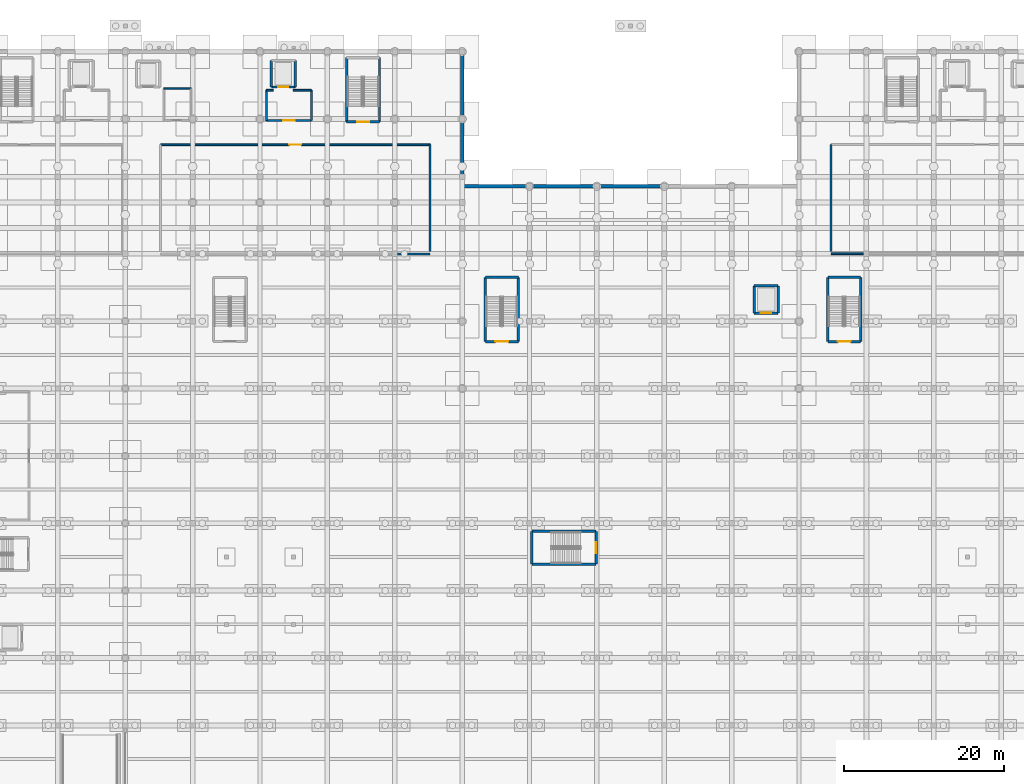
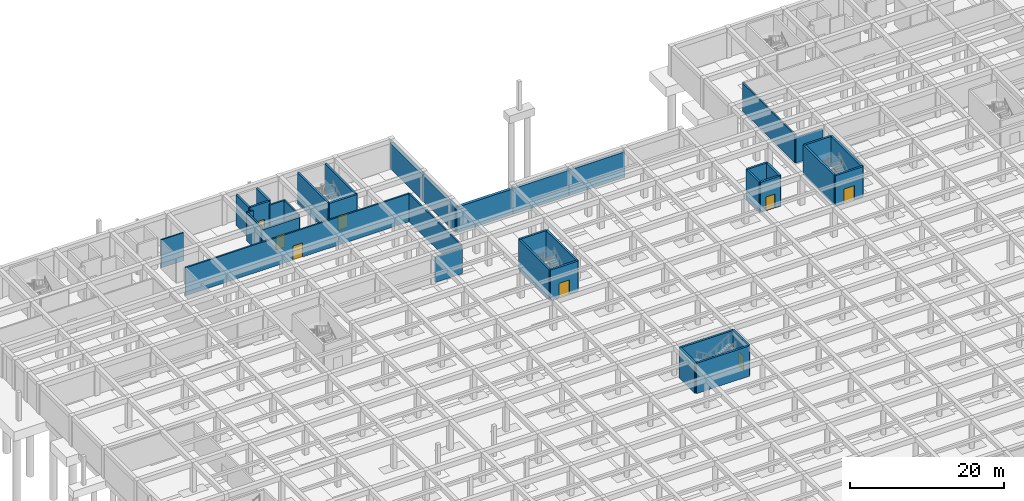
# One storey, part 27 of 51: 38 walls, 8 doors, 8 openings.
"""IFC4 building model written with IfcOpenShell, lengths in metres."""

from ifc_helpers import new_model, si_unit, direction, frame, frame_2d, origin, place, context, subcontext, project, spatial, rectangle, extrude, material, layer, layer_set, type_object, element, fill, save


model = new_model("IFC4")

# Units and contexts
model_context = context("Model", 3, precision=1e-05, world=origin(), true_north=direction((0.0, 1.0)))
body_context = subcontext(model_context, "Body", "Model", "MODEL_VIEW")
ifc_project = project(units=[si_unit("LENGTHUNIT", "METRE"), si_unit("AREAUNIT", "SQUARE_METRE"), si_unit("VOLUMEUNIT", "CUBIC_METRE"), si_unit("PLANEANGLEUNIT", "RADIAN"), si_unit("MASSUNIT", "GRAM", prefix="KILO")], contexts=[model_context])

# Site, building, storey
site_placement = place(None, origin())
site = spatial("IfcSite", under=ifc_project, at=site_placement, CompositionType="ELEMENT")
building_placement = place(site_placement, origin())
building = spatial("IfcBuilding", under=site, at=building_placement, Name="Varncliffe General Hospital", CompositionType="ELEMENT")
storey_placement = place(building_placement, frame((0.0, 0.0, -4.800048828125)))
storey = spatial("IfcBuildingStorey", under=building, at=storey_placement, Name="B1", CompositionType="ELEMENT", Elevation=-4.800048828125)

# Walls
ifc_material_1 = material(Name="Concrete C40/50 (CSA A23.1 40 MPa)", Category="concrete")
ifc_layer_1 = layer(ifc_material_1, 0.419921875)
ifc_layer_set_1 = layer_set([ifc_layer_1], Name="Concrete C40/50 (CSA A23.1 40 MPa)")
wall_type_1 = type_object("IfcWallType", Name="Exterior Insulated Stucco Wall EW28 (420mm)", PredefinedType="SOLIDWALL", material=ifc_layer_set_1)
wall_1_placement = place(storey_placement, frame((67.199951171875, 124.800048828125, 0.0), z_axis=(0.0, 0.0, 1.0), x_axis=(0.0, -1.0, 0.0)))
element("IfcWall", 1, at=wall_1_placement, inside=storey, type_object=wall_type_1, Name="B1 Perimeter Retaining Wall 19", PredefinedType="SOLIDWALL", context=body_context, shape_type="SweptSolid", body=[
    extrude(rectangle(XDim=8.400146484375, YDim=0.419921875, at=frame_2d((4.2001953125, 0.0))), origin(), (0.0, 0.0, 1.0), 4.050048828125),
])
wall_2_placement = place(storey_placement, frame((67.199951171875, 116.39990234375, 0.0), z_axis=(0.0, 0.0, 1.0), x_axis=(0.0, -1.0, 0.0)))
element("IfcWall", 2, at=wall_2_placement, inside=storey, type_object=wall_type_1, Name="B1 Perimeter Retaining Wall 20", PredefinedType="SOLIDWALL", context=body_context, shape_type="SweptSolid", body=[
    extrude(rectangle(XDim=8.39990234375, YDim=0.419921875, at=frame_2d((4.199951171875, 0.0))), origin(), (0.0, 0.0, 1.0), 4.050048828125),
])
wall_3_placement = place(storey_placement, frame((67.199951171875, 108.0, 0.0), z_axis=(0.0, 0.0, 1.0), x_axis=(1.0, 0.0, 0.0)))
element("IfcWall", 3, at=wall_3_placement, inside=storey, type_object=wall_type_1, Name="B1 Perimeter Retaining Wall 21", PredefinedType="SOLIDWALL", context=body_context, shape_type="SweptSolid", body=[
    extrude(rectangle(XDim=8.400146484375, YDim=0.419921875, at=frame_2d((4.2001953125, 0.0))), origin(), (0.0, 0.0, 1.0), 4.050048828125),
])
for number, where, z_axis, x_axis, name in (
    (4, (75.60009765625, 108.0, 0.0), (0.0, 0.0, 1.0), (1.0, 0.0, 0.0), "B1 Perimeter Retaining Wall 22"),
    (5, (84.0, 108.0, 0.0), (0.0, 0.0, 1.0), (1.0, 0.0, 0.0), "B1 Perimeter Retaining Wall 23"),
):
    element("IfcWall", number, at=place(storey_placement, frame(where, z_axis=z_axis, x_axis=x_axis)), inside=storey, type_object=wall_type_1, Name=name, PredefinedType="SOLIDWALL", context=body_context, shape_type="SweptSolid", body=[
        extrude(rectangle(XDim=8.39990234375, YDim=0.419921875, at=frame_2d((4.199951171875, 0.0))), origin(), (0.0, 0.0, 1.0), 4.050048828125),
    ])
ifc_material_2 = material(Name="Fire-rated gypsum and mineral-wool partition assembly", Category="gypsum")
ifc_layer_2 = layer(ifc_material_2, 0.25)
ifc_layer_set_2 = layer_set([ifc_layer_2], Name="Fire-rated gypsum and mineral-wool partition assembly")
wall_type_2 = type_object("IfcWallType", Name="Interior Partitioning PW38 (250mm)", PredefinedType="PARTITIONING", material=ifc_layer_set_2)
wall_4_placement = place(storey_placement, frame((59.139892578125, 99.60009765625, 0.0), z_axis=(0.0, 0.0, 1.0), x_axis=(1.0, 0.0, 0.0)))
element("IfcWall", 6, at=wall_4_placement, inside=storey, type_object=wall_type_2, Name="B1 Interior Partition Wall PW38-20", PredefinedType="PARTITIONING", context=body_context, shape_type="SweptSolid", body=[
    extrude(rectangle(XDim=4.06005859375, YDim=0.25, at=frame_2d((2.030029296875, 0.0))), origin(), (0.0, 0.0, 1.0), 3.985107421875),
])
wall_5_placement = place(storey_placement, frame((48.39990234375, 116.199951171875, 0.0), z_axis=(0.0, 0.0, 1.0), x_axis=(0.0, 1.0, 0.0)))
element("IfcWall", 7, at=wall_5_placement, inside=storey, type_object=wall_type_2, Name="B1 Interior Partition Wall PW38-53", PredefinedType="PARTITIONING", context=body_context, shape_type="SweptSolid", body=[
    extrude(rectangle(XDim=3.800048828125, YDim=0.25, at=frame_2d((1.89990234375, 0.0))), origin(), (0.0, 0.0, 1.0), 4.43994140625),
])
wall_6_placement = place(storey_placement, frame((113.199951171875, 99.60009765625, 0.0), z_axis=(0.0, 0.0, 1.0), x_axis=(0.0, 1.0, 0.0)))
element("IfcWall", 8, at=wall_6_placement, inside=storey, type_object=wall_type_2, Name="B1 Interior Partition Wall PW38-59", PredefinedType="PARTITIONING", context=body_context, shape_type="SweptSolid", body=[
    extrude(rectangle(XDim=13.599853515625, YDim=0.25, at=frame_2d((6.7998046875, 0.0))), origin(), (0.0, 0.0, 1.0), 4.43994140625),
])
ifc_layer_3 = layer(ifc_material_2, 0.22998046875)
ifc_layer_set_3 = layer_set([ifc_layer_3], Name="Fire-rated gypsum and mineral-wool partition assembly")
wall_type_3 = type_object("IfcWallType", Name="Interior Partitioning PW48 (230mm)", PredefinedType="PARTITIONING", material=ifc_layer_set_3)
wall_7_placement = place(storey_placement, frame((113.199951171875, 99.60009765625, 0.0), z_axis=(0.0, 0.0, 1.0), x_axis=(1.0, 0.0, 0.0)))
element("IfcWall", 9, at=wall_7_placement, inside=storey, type_object=wall_type_3, Name="B1 Interior Partition Wall PW48-26", PredefinedType="PARTITIONING", context=body_context, shape_type="SweptSolid", body=[
    extrude(rectangle(XDim=4.03515625, YDim=0.22998046875, at=frame_2d((2.017578125, 0.0))), origin(), (0.0, 0.0, 1.0), 3.985107421875),
])

# Wall, opening, door
wall_8_placement = place(storey_placement, frame((29.60009765625, 113.199951171875, 0.0), z_axis=(0.0, 0.0, 1.0), x_axis=(1.0, 0.0, 0.0)))
wall_8 = element("IfcWall", 10, at=wall_8_placement, inside=storey, type_object=wall_type_3, Name="B1 Interior Partition Wall PW48-28", PredefinedType="PARTITIONING", context=body_context, shape_type="SweptSolid", body=[
    extrude(rectangle(XDim=33.599853515625, YDim=0.22998046875, at=frame_2d((16.7998046875, 0.0))), origin(), (0.0, 0.0, 1.0), 4.43994140625),
])
opening_1_placement = place(wall_8_placement, frame((16.074951171875, 0.0, 0.0)))
opening_1 = element("IfcOpeningElement", 11, at=opening_1_placement, cuts=wall_8, Name="Opening DC66", PredefinedType="OPENING", context=body_context, shape_type="SweptSolid", body=[
    extrude(rectangle(XDim=1.449951171875, YDim=2.25, at=frame_2d((0.72509765625, 1.125))), frame((0.0, 0.125, 0.0), z_axis=(0.0, -1.0, 0.0), x_axis=(1.0, 0.0, 0.0)), (0.0, 0.0, 1.0), 0.25),
])
ifc_material_3 = material(Name="Fire-rated hospital steel-frame vision-panel door", Category="steel")
door_type_1 = type_object("IfcDoorType", Name="Interior Hospital Door DC66 (1450x2250)", OperationType="NOTDEFINED", PredefinedType="DOOR", material=ifc_material_3)
door_1_placement = place(opening_1_placement, frame((1.449951171875, 0.0, 0.0), z_axis=(0.0, 0.0, 1.0), x_axis=(-1.0, 0.0, 0.0)))
door_1 = element("IfcDoor", 12, at=door_1_placement, inside=storey, type_object=door_type_1, Name="B1 Ward Clean Linen and Bulk Supply Store West Door", OperationType="SINGLE_SWING_LEFT", OverallHeight=2.25, OverallWidth=1.449951171875, PredefinedType="DOOR", context=body_context, shape_type="SweptSolid", body=[
    extrude(rectangle(XDim=1.449951171875, YDim=2.25, at=frame_2d((0.72509765625, 1.125))), frame((0.0, 0.02490234375, 0.0), z_axis=(0.0, -1.0, 0.0), x_axis=(1.0, 0.0, 0.0)), (0.0, 0.0, 1.0), 0.050048828125),
])
fill(opening_1, door_1)

wall_9_placement = place(storey_placement, frame((42.800048828125, 116.199951171875, 0.0), z_axis=(0.0, 0.0, 1.0), x_axis=(1.0, 0.0, 0.0)))
wall_9 = element("IfcWall", 13, at=wall_9_placement, inside=storey, type_object=wall_type_3, Name="B1 Interior Partition Wall PW48-32", PredefinedType="PARTITIONING", context=body_context, shape_type="SweptSolid", body=[
    extrude(rectangle(XDim=5.599853515625, YDim=0.22998046875, at=frame_2d((2.7998046875, 0.0))), origin(), (0.0, 0.0, 1.0), 3.985107421875),
])
opening_2_placement = place(wall_9_placement, frame((2.10009765625, 0.0, 0.0)))
opening_2 = element("IfcOpeningElement", 14, at=opening_2_placement, cuts=wall_9, Name="Opening DF81", PredefinedType="OPENING", context=body_context, shape_type="SweptSolid", body=[
    extrude(rectangle(XDim=1.39990234375, YDim=2.199951171875, at=frame_2d((0.699951171875, 1.10009765625))), frame((0.0, 0.125, 0.0), z_axis=(0.0, -1.0, 0.0), x_axis=(1.0, 0.0, 0.0)), (0.0, 0.0, 1.0), 0.25),
])
door_type_2 = type_object("IfcDoorType", Name="Interior Hospital Door DF81 (1400x2200)", OperationType="NOTDEFINED", PredefinedType="DOOR", material=ifc_material_3)
door_2_placement = place(opening_2_placement, origin())
door_2 = element("IfcDoor", 15, at=door_2_placement, inside=storey, type_object=door_type_2, Name="B1 Firefighting Lift Lobby LF02 Door", OperationType="SINGLE_SWING_LEFT", OverallHeight=2.199951171875, OverallWidth=1.39990234375, PredefinedType="DOOR", context=body_context, shape_type="SweptSolid", body=[
    extrude(rectangle(XDim=1.39990234375, YDim=2.199951171875, at=frame_2d((0.699951171875, 1.10009765625))), frame((0.0, 0.02490234375, 0.0), z_axis=(0.0, -1.0, 0.0), x_axis=(1.0, 0.0, 0.0)), (0.0, 0.0, 1.0), 0.050048828125),
])
fill(opening_2, door_2)

# Walls
wall_10_placement = place(storey_placement, frame((46.135986328125, 120.0, 0.0), z_axis=(0.0, 0.0, 1.0), x_axis=(1.0, 0.0, 0.0)))
element("IfcWall", 16, at=wall_10_placement, inside=storey, type_object=wall_type_3, Name="B1 Interior Partition Wall PW48-38", PredefinedType="PARTITIONING", context=body_context, shape_type="SweptSolid", body=[
    extrude(rectangle(XDim=2.263916015625, YDim=0.22998046875, at=frame_2d((1.1318359375, 0.0))), origin(), (0.0, 0.0, 1.0), 4.43994140625),
])
wall_11_placement = place(storey_placement, frame((42.800048828125, 120.0, 0.0), z_axis=(0.0, 0.0, 1.0), x_axis=(1.0, 0.0, 0.0)))
element("IfcWall", 17, at=wall_11_placement, inside=storey, type_object=wall_type_3, Name="B1 Interior Partition Wall PW48-39", PredefinedType="PARTITIONING", context=body_context, shape_type="SweptSolid", body=[
    extrude(rectangle(XDim=0.864013671875, YDim=0.22998046875, at=frame_2d((0.43212890625, 0.0))), origin(), (0.0, 0.0, 1.0), 4.43994140625),
])
wall_12_placement = place(storey_placement, frame((42.800048828125, 116.199951171875, 0.0), z_axis=(0.0, 0.0, 1.0), x_axis=(0.0, 1.0, 0.0)))
element("IfcWall", 18, at=wall_12_placement, inside=storey, type_object=wall_type_3, Name="B1 Interior Partition Wall PW48-52", PredefinedType="PARTITIONING", context=body_context, shape_type="SweptSolid", body=[
    extrude(rectangle(XDim=3.800048828125, YDim=0.22998046875, at=frame_2d((1.89990234375, 0.0))), origin(), (0.0, 0.0, 1.0), 4.43994140625),
])
wall_13_placement = place(storey_placement, frame((63.199951171875, 99.60009765625, 0.0), z_axis=(0.0, 0.0, 1.0), x_axis=(0.0, 1.0, 0.0)))
element("IfcWall", 19, at=wall_13_placement, inside=storey, type_object=wall_type_3, Name="B1 Interior Partition Wall PW48-54", PredefinedType="PARTITIONING", context=body_context, shape_type="SweptSolid", body=[
    extrude(rectangle(XDim=13.599853515625, YDim=0.22998046875, at=frame_2d((6.7998046875, 0.0))), origin(), (0.0, 0.0, 1.0), 4.43994140625),
])
ifc_material_4 = material(Name="Moisture-resistant plumbing chase wall assembly", Category="gypsum")
ifc_layer_4 = layer(ifc_material_4, 0.18994140625)
ifc_layer_set_4 = layer_set([ifc_layer_4], Name="Moisture-resistant plumbing chase wall assembly")
wall_type_4 = type_object("IfcWallType", Name="Interior Plumbingwall MW17 (190mm)", PredefinedType="PLUMBINGWALL", material=ifc_layer_set_4)
wall_14_placement = place(storey_placement, frame((30.0, 120.199951171875, 0.0), z_axis=(0.0, 0.0, 1.0), x_axis=(1.0, 0.0, 0.0)))
element("IfcWall", 20, at=wall_14_placement, inside=storey, type_object=wall_type_4, Name="B1 Interior Plumbing Wall MW17-42", PredefinedType="PLUMBINGWALL", context=body_context, shape_type="SweptSolid", body=[
    extrude(rectangle(XDim=3.39990234375, YDim=0.18994140625, at=frame_2d((1.699951171875, 0.0))), origin(), (0.0, 0.0, 1.0), 4.43994140625),
])
ifc_layer_5 = layer(ifc_material_1, 0.300048828125)
ifc_layer_set_5 = layer_set([ifc_layer_5], Name="Concrete C40/50 (CSA A23.1 40 MPa)")
wall_type_5 = type_object("IfcWallType", Name="Reinforced Concrete Core Shear Wall CW12 (300mm)", PredefinedType="SHEAR", material=ifc_layer_set_5)
for number, where, z_axis, x_axis, name in (
    (21, (56.89990234375, 116.050048828125, 0.0), (0.0, 0.0, 1.0), (0.0, 1.0, 0.0), "B1 ST02 Core Shear Wall L"),
    (22, (52.800048828125, 124.050048828125, 0.0), (0.0, 0.0, 1.0), (0.0, -1.0, 0.0), "B1 ST02 Core Shear Wall R"),
):
    element("IfcWall", number, at=place(storey_placement, frame(where, z_axis=z_axis, x_axis=x_axis)), inside=storey, type_object=wall_type_5, Name=name, PredefinedType="SHEAR", context=body_context, shape_type="SweptSolid", body=[
        extrude(rectangle(XDim=8.0, YDim=0.300048828125, at=frame_2d((4.0, 0.0))), origin(), (0.0, 0.0, 1.0), 4.800048828125),
    ])

# Wall, opening, door
wall_15_placement = place(storey_placement, frame((52.800048828125, 116.050048828125, 0.0), z_axis=(0.0, 0.0, 1.0), x_axis=(1.0, 0.0, 0.0)))
wall_15 = element("IfcWall", 23, at=wall_15_placement, inside=storey, type_object=wall_type_5, Name="B1 ST02 Core Shear Wall N", PredefinedType="SHEAR", context=body_context, shape_type="SweptSolid", body=[
    extrude(rectangle(XDim=4.099853515625, YDim=0.300048828125, at=frame_2d((2.0498046875, 0.0))), origin(), (0.0, 0.0, 1.0), 4.800048828125),
])
opening_3_placement = place(wall_15_placement, frame((1.300048828125, 0.0, 0.0)))
opening_3 = element("IfcOpeningElement", 24, at=opening_3_placement, cuts=wall_15, Name="Opening DF28", PredefinedType="OPENING", context=body_context, shape_type="SweptSolid", body=[
    extrude(rectangle(XDim=1.5, YDim=2.199951171875, at=frame_2d((0.75, 1.10009765625))), frame((0.0, 0.16015625, 0.0), z_axis=(0.0, -1.0, 0.0), x_axis=(1.0, 0.0, 0.0)), (0.0, 0.0, 1.0), 0.320068359375),
])
door_type_3 = type_object("IfcDoorType", Name="Interior Hospital Door DF28 (1500x2200)", OperationType="NOTDEFINED", PredefinedType="DOOR", material=ifc_material_3)
door_3_placement = place(opening_3_placement, frame((1.5, 0.0, 0.0), z_axis=(0.0, 0.0, 1.0), x_axis=(-1.0, 0.0, 0.0)))
door_3 = element("IfcDoor", 25, at=door_3_placement, inside=storey, type_object=door_type_3, Name="B1 ST02 Protected Exit Stair Door", OperationType="SINGLE_SWING_RIGHT", OverallHeight=2.199951171875, OverallWidth=1.5, PredefinedType="DOOR", context=body_context, shape_type="SweptSolid", body=[
    extrude(rectangle(XDim=1.5, YDim=2.199951171875, at=frame_2d((0.75, 1.10009765625))), frame((0.0, 0.02490234375, 0.0), z_axis=(0.0, -1.0, 0.0), x_axis=(1.0, 0.0, 0.0)), (0.0, 0.0, 1.0), 0.050048828125),
])
fill(opening_3, door_3)

# Walls
wall_16_placement = place(storey_placement, frame((116.89990234375, 88.64990234375, 0.0), z_axis=(0.0, 0.0, 1.0), x_axis=(0.0, 1.0, 0.0)))
element("IfcWall", 26, at=wall_16_placement, inside=storey, type_object=wall_type_5, Name="B1 ST06 Core Shear Wall L", PredefinedType="SHEAR", context=body_context, shape_type="SweptSolid", body=[
    extrude(rectangle(XDim=8.0, YDim=0.300048828125, at=frame_2d((4.0, 0.0))), origin(), (0.0, 0.0, 1.0), 4.800048828125),
])
wall_17_placement = place(storey_placement, frame((116.89990234375, 96.64990234375, 0.0), z_axis=(0.0, 0.0, 1.0), x_axis=(-1.0, 0.0, 0.0)))
element("IfcWall", 27, at=wall_17_placement, inside=storey, type_object=wall_type_5, Name="B1 ST06 Core Shear Wall F", PredefinedType="SHEAR", context=body_context, shape_type="SweptSolid", body=[
    extrude(rectangle(XDim=4.099853515625, YDim=0.300048828125, at=frame_2d((2.0498046875, 0.0))), origin(), (0.0, 0.0, 1.0), 4.800048828125),
])
wall_18_placement = place(storey_placement, frame((112.800048828125, 96.64990234375, 0.0), z_axis=(0.0, 0.0, 1.0), x_axis=(0.0, -1.0, 0.0)))
element("IfcWall", 28, at=wall_18_placement, inside=storey, type_object=wall_type_5, Name="B1 ST06 Core Shear Wall R", PredefinedType="SHEAR", context=body_context, shape_type="SweptSolid", body=[
    extrude(rectangle(XDim=8.0, YDim=0.300048828125, at=frame_2d((4.0, 0.0))), origin(), (0.0, 0.0, 1.0), 4.800048828125),
])

# Wall, opening, door
wall_19_placement = place(storey_placement, frame((112.800048828125, 88.64990234375, 0.0), z_axis=(0.0, 0.0, 1.0), x_axis=(1.0, 0.0, 0.0)))
wall_19 = element("IfcWall", 29, at=wall_19_placement, inside=storey, type_object=wall_type_5, Name="B1 ST06 Core Shear Wall N", PredefinedType="SHEAR", context=body_context, shape_type="SweptSolid", body=[
    extrude(rectangle(XDim=4.099853515625, YDim=0.300048828125, at=frame_2d((2.0498046875, 0.0))), origin(), (0.0, 0.0, 1.0), 4.800048828125),
])
opening_4_placement = place(wall_19_placement, frame((1.25, 0.0, 0.0)))
opening_4 = element("IfcOpeningElement", 30, at=opening_4_placement, cuts=wall_19, Name="Opening DF27", PredefinedType="OPENING", context=body_context, shape_type="SweptSolid", body=[
    extrude(rectangle(XDim=1.60009765625, YDim=2.25, at=frame_2d((0.800048828125, 1.125))), frame((0.0, 0.16015625, 0.0), z_axis=(0.0, -1.0, 0.0), x_axis=(1.0, 0.0, 0.0)), (0.0, 0.0, 1.0), 0.320068359375),
])
door_type_4 = type_object("IfcDoorType", Name="Interior Hospital Door DF27 (1600x2250)", OperationType="NOTDEFINED", PredefinedType="DOOR", material=ifc_material_3)
door_4_placement = place(opening_4_placement, frame((1.60009765625, 0.0, 0.0), z_axis=(0.0, 0.0, 1.0), x_axis=(-1.0, 0.0, 0.0)))
door_4 = element("IfcDoor", 31, at=door_4_placement, inside=storey, type_object=door_type_4, Name="B1 ST06 Protected Exit Stair Door", OperationType="SINGLE_SWING_RIGHT", OverallHeight=2.25, OverallWidth=1.60009765625, PredefinedType="DOOR", context=body_context, shape_type="SweptSolid", body=[
    extrude(rectangle(XDim=1.60009765625, YDim=2.25, at=frame_2d((0.800048828125, 1.125))), frame((0.0, 0.02490234375, 0.0), z_axis=(0.0, -1.0, 0.0), x_axis=(1.0, 0.0, 0.0)), (0.0, 0.0, 1.0), 0.050048828125),
])
fill(opening_4, door_4)

# Walls
wall_20_placement = place(storey_placement, frame((74.199951171875, 88.64990234375, 0.0), z_axis=(0.0, 0.0, 1.0), x_axis=(0.0, 1.0, 0.0)))
element("IfcWall", 32, at=wall_20_placement, inside=storey, type_object=wall_type_5, Name="B1 ST12 Core Shear Wall L", PredefinedType="SHEAR", context=body_context, shape_type="SweptSolid", body=[
    extrude(rectangle(XDim=8.0, YDim=0.300048828125, at=frame_2d((4.0, 0.0))), origin(), (0.0, 0.0, 1.0), 4.800048828125),
])
wall_21_placement = place(storey_placement, frame((74.199951171875, 96.64990234375, 0.0), z_axis=(0.0, 0.0, 1.0), x_axis=(-1.0, 0.0, 0.0)))
element("IfcWall", 33, at=wall_21_placement, inside=storey, type_object=wall_type_5, Name="B1 ST12 Core Shear Wall F", PredefinedType="SHEAR", context=body_context, shape_type="SweptSolid", body=[
    extrude(rectangle(XDim=4.099853515625, YDim=0.300048828125, at=frame_2d((2.0498046875, 0.0))), origin(), (0.0, 0.0, 1.0), 4.800048828125),
])
wall_22_placement = place(storey_placement, frame((70.10009765625, 96.64990234375, 0.0), z_axis=(0.0, 0.0, 1.0), x_axis=(0.0, -1.0, 0.0)))
element("IfcWall", 34, at=wall_22_placement, inside=storey, type_object=wall_type_5, Name="B1 ST12 Core Shear Wall R", PredefinedType="SHEAR", context=body_context, shape_type="SweptSolid", body=[
    extrude(rectangle(XDim=8.0, YDim=0.300048828125, at=frame_2d((4.0, 0.0))), origin(), (0.0, 0.0, 1.0), 4.800048828125),
])

# Wall, opening, door
wall_23_placement = place(storey_placement, frame((70.10009765625, 88.64990234375, 0.0), z_axis=(0.0, 0.0, 1.0), x_axis=(1.0, 0.0, 0.0)))
wall_23 = element("IfcWall", 35, at=wall_23_placement, inside=storey, type_object=wall_type_5, Name="B1 ST12 Core Shear Wall N", PredefinedType="SHEAR", context=body_context, shape_type="SweptSolid", body=[
    extrude(rectangle(XDim=4.099853515625, YDim=0.300048828125, at=frame_2d((2.0498046875, 0.0))), origin(), (0.0, 0.0, 1.0), 4.800048828125),
])
opening_5_placement = place(wall_23_placement, frame((1.25, 0.0, 0.0)))
opening_5 = element("IfcOpeningElement", 36, at=opening_5_placement, cuts=wall_23, Name="Opening DF27", PredefinedType="OPENING", context=body_context, shape_type="SweptSolid", body=[
    extrude(rectangle(XDim=1.60009765625, YDim=2.25, at=frame_2d((0.800048828125, 1.125))), frame((0.0, 0.16015625, 0.0), z_axis=(0.0, -1.0, 0.0), x_axis=(1.0, 0.0, 0.0)), (0.0, 0.0, 1.0), 0.320068359375),
])
door_5_placement = place(opening_5_placement, frame((1.60009765625, 0.0, 0.0), z_axis=(0.0, 0.0, 1.0), x_axis=(-1.0, 0.0, 0.0)))
door_5 = element("IfcDoor", 37, at=door_5_placement, inside=storey, type_object=door_type_4, Name="B1 ST12 Protected Exit Stair Door", OperationType="SINGLE_SWING_RIGHT", OverallHeight=2.25, OverallWidth=1.60009765625, PredefinedType="DOOR", context=body_context, shape_type="SweptSolid", body=[
    extrude(rectangle(XDim=1.60009765625, YDim=2.25, at=frame_2d((0.800048828125, 1.125))), frame((0.0, 0.02490234375, 0.0), z_axis=(0.0, -1.0, 0.0), x_axis=(1.0, 0.0, 0.0)), (0.0, 0.0, 1.0), 0.050048828125),
])
fill(opening_5, door_5)

# Walls
wall_24_placement = place(storey_placement, frame((83.89990234375, 65.0, 0.0), z_axis=(0.0, 0.0, 1.0), x_axis=(-1.0, 0.0, 0.0)))
element("IfcWall", 38, at=wall_24_placement, inside=storey, type_object=wall_type_5, Name="B1 ST16 Core Shear Wall L", PredefinedType="SHEAR", context=body_context, shape_type="SweptSolid", body=[
    extrude(rectangle(XDim=8.0, YDim=0.300048828125, at=frame_2d((4.0, 0.0))), origin(), (0.0, 0.0, 1.0), 4.800048828125),
])
wall_25_placement = place(storey_placement, frame((75.89990234375, 65.0, 0.0), z_axis=(0.0, 0.0, 1.0), x_axis=(0.0, -1.0, 0.0)))
element("IfcWall", 39, at=wall_25_placement, inside=storey, type_object=wall_type_5, Name="B1 ST16 Core Shear Wall F", PredefinedType="SHEAR", context=body_context, shape_type="SweptSolid", body=[
    extrude(rectangle(XDim=4.10009765625, YDim=0.300048828125, at=frame_2d((2.050048828125, 0.0))), origin(), (0.0, 0.0, 1.0), 4.800048828125),
])
wall_26_placement = place(storey_placement, frame((75.89990234375, 60.89990234375, 0.0), z_axis=(0.0, 0.0, 1.0), x_axis=(1.0, 0.0, 0.0)))
element("IfcWall", 40, at=wall_26_placement, inside=storey, type_object=wall_type_5, Name="B1 ST16 Core Shear Wall R", PredefinedType="SHEAR", context=body_context, shape_type="SweptSolid", body=[
    extrude(rectangle(XDim=8.0, YDim=0.300048828125, at=frame_2d((4.0, 0.0))), origin(), (0.0, 0.0, 1.0), 4.800048828125),
])

# Wall, opening, door
wall_27_placement = place(storey_placement, frame((83.89990234375, 60.89990234375, 0.0), z_axis=(0.0, 0.0, 1.0), x_axis=(0.0, 1.0, 0.0)))
wall_27 = element("IfcWall", 41, at=wall_27_placement, inside=storey, type_object=wall_type_5, Name="B1 ST16 Core Shear Wall N", PredefinedType="SHEAR", context=body_context, shape_type="SweptSolid", body=[
    extrude(rectangle(XDim=4.10009765625, YDim=0.300048828125, at=frame_2d((2.050048828125, 0.0))), origin(), (0.0, 0.0, 1.0), 4.800048828125),
])
opening_6_placement = place(wall_27_placement, frame((1.35009765625, 0.0, 0.0)))
opening_6 = element("IfcOpeningElement", 42, at=opening_6_placement, cuts=wall_27, Name="Opening DF81", PredefinedType="OPENING", context=body_context, shape_type="SweptSolid", body=[
    extrude(rectangle(XDim=1.39990234375, YDim=2.199951171875, at=frame_2d((0.699951171875, 1.10009765625))), frame((0.0, 0.16015625, 0.0), z_axis=(0.0, -1.0, 0.0), x_axis=(1.0, 0.0, 0.0)), (0.0, 0.0, 1.0), 0.320068359375),
])
door_6_placement = place(opening_6_placement, frame((1.39990234375, 0.0, 0.0), z_axis=(0.0, 0.0, 1.0), x_axis=(-1.0, 0.0, 0.0)))
door_6 = element("IfcDoor", 43, at=door_6_placement, inside=storey, type_object=door_type_2, Name="B1 ST16 Protected Exit Stair Door", OperationType="SINGLE_SWING_RIGHT", OverallHeight=2.199951171875, OverallWidth=1.39990234375, PredefinedType="DOOR", context=body_context, shape_type="SweptSolid", body=[
    extrude(rectangle(XDim=1.39990234375, YDim=2.199951171875, at=frame_2d((0.699951171875, 1.10009765625))), frame((0.0, 0.02490234375, 0.0), z_axis=(0.0, -1.0, 0.0), x_axis=(1.0, 0.0, 0.0)), (0.0, 0.0, 1.0), 0.050048828125),
])
fill(opening_6, door_6)

wall_28_placement = place(storey_placement, frame((43.39990234375, 120.39990234375, 0.0), z_axis=(0.0, 0.0, 1.0), x_axis=(1.0, 0.0, 0.0)))
wall_28 = element("IfcWall", 44, at=wall_28_placement, inside=storey, type_object=wall_type_5, Name="B1 LF02 Elevator Shaft Wall South", PredefinedType="SHEAR", context=body_context, shape_type="SweptSolid", body=[
    extrude(rectangle(XDim=3.0, YDim=0.300048828125, at=frame_2d((1.5, 0.0))), origin(), (0.0, 0.0, 1.0), 4.800048828125),
])
opening_7_placement = place(wall_28_placement, frame((0.85009765625, 0.0, 0.0)))
opening_7 = element("IfcOpeningElement", 45, at=opening_7_placement, cuts=wall_28, Name="Opening LD02", PredefinedType="OPENING", context=body_context, shape_type="SweptSolid", body=[
    extrude(rectangle(XDim=1.300048828125, YDim=2.199951171875, at=frame_2d((0.64990234375, 1.10009765625))), frame((0.0, 0.16015625, 0.0), z_axis=(0.0, -1.0, 0.0), x_axis=(1.0, 0.0, 0.0)), (0.0, 0.0, 1.0), 0.320068359375),
])
ifc_material_5 = material(Name="Brushed stainless-steel sliding elevator landing door", Category="steel")
door_type_5 = type_object("IfcDoorType", Name="Lift Landing Door LD02 (1300x2200)", OperationType="DOUBLE_DOOR_SLIDING", PredefinedType="DOOR", material=ifc_material_5)
door_7_placement = place(opening_7_placement, origin())
door_7 = element("IfcDoor", 46, at=door_7_placement, inside=storey, type_object=door_type_5, Name="Lift Landing Door LF02 B1", OperationType="DOUBLE_DOOR_SLIDING", OverallHeight=2.199951171875, OverallWidth=1.300048828125, PredefinedType="DOOR", context=body_context, shape_type="SweptSolid", body=[
    extrude(rectangle(XDim=1.300048828125, YDim=2.199951171875, at=frame_2d((0.64990234375, 1.10009765625))), frame((0.0, 0.02490234375, 0.0), z_axis=(0.0, -1.0, 0.0), x_axis=(1.0, 0.0, 0.0)), (0.0, 0.0, 1.0), 0.050048828125),
])
fill(opening_7, door_7)

# Walls
for number, where, z_axis, x_axis, name in (
    (47, (46.39990234375, 120.39990234375, 0.0), (0.0, 0.0, 1.0), (0.0, 1.0, 0.0), "B1 LF02 Elevator Shaft Wall East"),
    (48, (43.39990234375, 123.699951171875, 0.0), (0.0, 0.0, 1.0), (0.0, -1.0, 0.0), "B1 LF02 Elevator Shaft Wall West"),
):
    element("IfcWall", number, at=place(storey_placement, frame(where, z_axis=z_axis, x_axis=x_axis)), inside=storey, type_object=wall_type_5, Name=name, PredefinedType="SHEAR", context=body_context, shape_type="SweptSolid", body=[
        extrude(rectangle(XDim=3.300048828125, YDim=0.300048828125, at=frame_2d((1.64990234375, 0.0))), origin(), (0.0, 0.0, 1.0), 4.800048828125),
    ])

# Wall, opening, door
wall_29_placement = place(storey_placement, frame((103.60009765625, 92.199951171875, 0.0), z_axis=(0.0, 0.0, 1.0), x_axis=(1.0, 0.0, 0.0)))
wall_29 = element("IfcWall", 49, at=wall_29_placement, inside=storey, type_object=wall_type_5, Name="B1 LF07 Elevator Shaft Wall South", PredefinedType="SHEAR", context=body_context, shape_type="SweptSolid", body=[
    extrude(rectangle(XDim=3.0, YDim=0.300048828125, at=frame_2d((1.5, 0.0))), origin(), (0.0, 0.0, 1.0), 4.800048828125),
])
opening_8_placement = place(wall_29_placement, frame((0.85009765625, 0.0, 0.0)))
opening_8 = element("IfcOpeningElement", 50, at=opening_8_placement, cuts=wall_29, Name="Opening LD02", PredefinedType="OPENING", context=body_context, shape_type="SweptSolid", body=[
    extrude(rectangle(XDim=1.300048828125, YDim=2.199951171875, at=frame_2d((0.64990234375, 1.10009765625))), frame((0.0, 0.16015625, 0.0), z_axis=(0.0, -1.0, 0.0), x_axis=(1.0, 0.0, 0.0)), (0.0, 0.0, 1.0), 0.320068359375),
])
door_8_placement = place(opening_8_placement, origin())
door_8 = element("IfcDoor", 51, at=door_8_placement, inside=storey, type_object=door_type_5, Name="Lift Landing Door LF07 B1", OperationType="DOUBLE_DOOR_SLIDING", OverallHeight=2.199951171875, OverallWidth=1.300048828125, PredefinedType="DOOR", context=body_context, shape_type="SweptSolid", body=[
    extrude(rectangle(XDim=1.300048828125, YDim=2.199951171875, at=frame_2d((0.64990234375, 1.10009765625))), frame((0.0, 0.02490234375, 0.0), z_axis=(0.0, -1.0, 0.0), x_axis=(1.0, 0.0, 0.0)), (0.0, 0.0, 1.0), 0.050048828125),
])
fill(opening_8, door_8)

# Walls
wall_30_placement = place(storey_placement, frame((106.60009765625, 92.199951171875, 0.0), z_axis=(0.0, 0.0, 1.0), x_axis=(0.0, 1.0, 0.0)))
element("IfcWall", 52, at=wall_30_placement, inside=storey, type_object=wall_type_5, Name="B1 LF07 Elevator Shaft Wall East", PredefinedType="SHEAR", context=body_context, shape_type="SweptSolid", body=[
    extrude(rectangle(XDim=3.400146484375, YDim=0.300048828125, at=frame_2d((1.7001953125, 0.0))), origin(), (0.0, 0.0, 1.0), 4.800048828125),
])
wall_31_placement = place(storey_placement, frame((106.60009765625, 95.60009765625, 0.0), z_axis=(0.0, 0.0, 1.0), x_axis=(-1.0, 0.0, 0.0)))
element("IfcWall", 53, at=wall_31_placement, inside=storey, type_object=wall_type_5, Name="B1 LF07 Elevator Shaft Wall North", PredefinedType="SHEAR", context=body_context, shape_type="SweptSolid", body=[
    extrude(rectangle(XDim=3.0, YDim=0.300048828125, at=frame_2d((1.5, 0.0))), origin(), (0.0, 0.0, 1.0), 4.800048828125),
])
wall_32_placement = place(storey_placement, frame((103.60009765625, 95.60009765625, 0.0), z_axis=(0.0, 0.0, 1.0), x_axis=(0.0, -1.0, 0.0)))
element("IfcWall", 54, at=wall_32_placement, inside=storey, type_object=wall_type_5, Name="B1 LF07 Elevator Shaft Wall West", PredefinedType="SHEAR", context=body_context, shape_type="SweptSolid", body=[
    extrude(rectangle(XDim=3.400146484375, YDim=0.300048828125, at=frame_2d((1.7001953125, 0.0))), origin(), (0.0, 0.0, 1.0), 4.800048828125),
])

save(model, "model.ifc")
